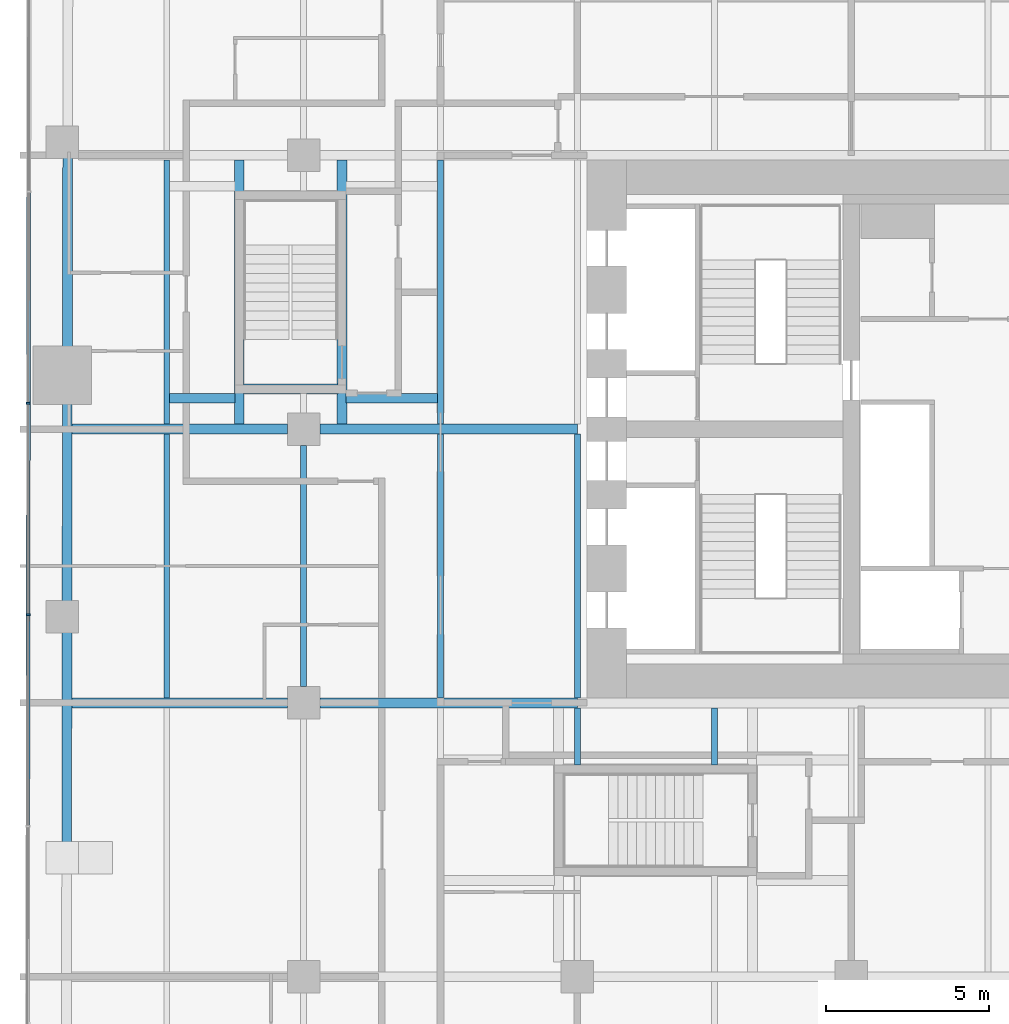
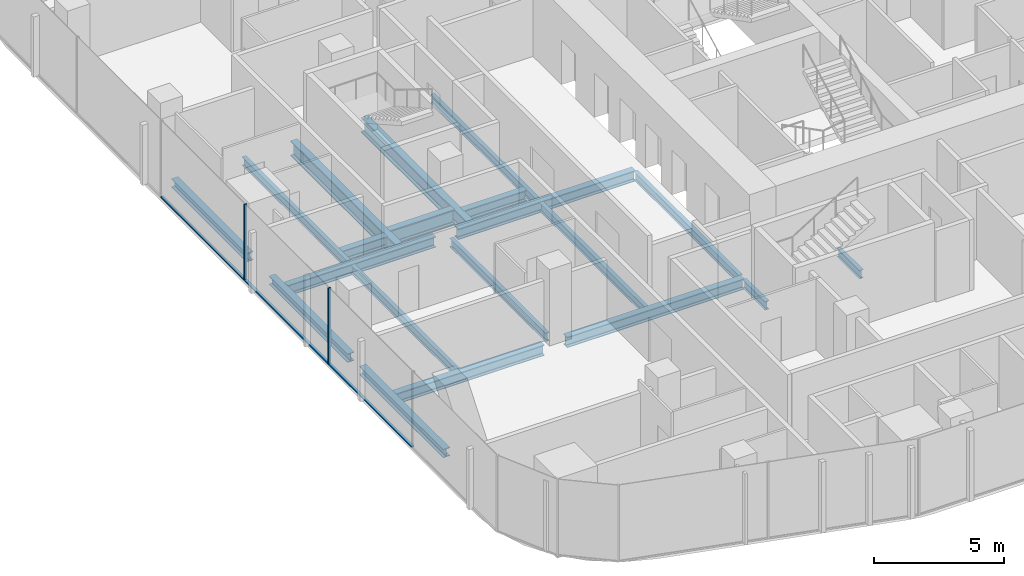
# One storey, part 4 of 27: 20 beams, 5 members, 1 element without a shape of its own.
"""IFC4 building model written with IfcOpenShell, lengths in metres."""

from ifc_helpers import new_model, si_unit, direction, frame, origin, origin_2d, place, context, subcontext, project, spatial, rectangle, i_section, extrude, material, layer, layer_set, material_profile, profile_set, type_object, element, aggregate, save


model = new_model("IFC4")

# Units and contexts
model_context = context("Model", 3, precision=1e-05, world=origin(), true_north=direction((0.0, 1.0)))
body_context = subcontext(model_context, "Body", "Model", "MODEL_VIEW")
ifc_project = project(units=[si_unit("LENGTHUNIT", "METRE"), si_unit("AREAUNIT", "SQUARE_METRE"), si_unit("VOLUMEUNIT", "CUBIC_METRE"), si_unit("PLANEANGLEUNIT", "RADIAN"), si_unit("MASSUNIT", "GRAM", prefix="KILO")], contexts=[model_context])

# Site, building, storey
site_placement = place(None, origin())
site = spatial("IfcSite", under=ifc_project, at=site_placement, CompositionType="ELEMENT")
building_placement = place(site_placement, origin())
building = spatial("IfcBuilding", under=site, at=building_placement, Name="Marenta Gate Hotel Tower", CompositionType="ELEMENT")
storey_placement = place(building_placement, frame((0.0, 0.0, 36.5)))
storey = spatial("IfcBuildingStorey", under=building, at=storey_placement, Name="L06", CompositionType="ELEMENT", Elevation=36.5)

# Beams
ifc_material_1 = material(Name="Steel S355", Category="steel")
ifc_material_profile_1 = material_profile(ifc_material_1, i_section(OverallWidth=0.300048828125, OverallDepth=0.39990234375, WebThickness=0.013427734375, FlangeThickness=0.02392578125, FilletRadius=0.027099609375, at=origin_2d()), Name="HEB 400")
ifc_profile_set_1 = profile_set([ifc_material_profile_1], Name="Steel S355")
beam_type_1 = type_object("IfcBeamType", Name="Edge beam HEB 400", PredefinedType="SPANDREL", material=ifc_profile_set_1)
beam_1_placement = place(storey_placement, frame((-28.267333984375, -4.2919921875, -0.35009765625), z_axis=(0.001393753119, 0.999999028726, 0.0), x_axis=(-0.999999028726, 0.001393753119, 0.0)))
element("IfcBeam", 1, at=beam_1_placement, inside=storey, type_object=beam_type_1, Name="L06-EB-6", PredefinedType="SPANDREL", context=body_context, shape_type="SweptSolid", body=[
    extrude(i_section(OverallWidth=0.300048828125, OverallDepth=0.39990234375, WebThickness=0.013427734375, FlangeThickness=0.02392578125, FilletRadius=0.027099609375, at=origin_2d()), origin(), (0.0, 0.0, 1.0), 6.481201171875),
])
beam_2_placement = place(storey_placement, frame((-28.257080078125, 3.109130859375, -0.35009765625), z_axis=(0.001405226059, 0.999999012669, 0.0), x_axis=(-0.999999012669, 0.001405226059, 0.0)))
element("IfcBeam", 2, at=beam_2_placement, inside=storey, type_object=beam_type_1, Name="L06-EB-7", PredefinedType="SPANDREL", context=body_context, shape_type="SweptSolid", body=[
    extrude(i_section(OverallWidth=0.300048828125, OverallDepth=0.39990234375, WebThickness=0.013427734375, FlangeThickness=0.02392578125, FilletRadius=0.027099609375, at=origin_2d()), origin(), (0.0, 0.0, 1.0), 6.080810546875),
])
beam_3_placement = place(storey_placement, frame((-28.246337890625, 10.909912109375, -0.35009765625), z_axis=(0.001423009483, 0.999998987521, 0.0), x_axis=(-0.999998987521, 0.001423009483, 0.0)))
element("IfcBeam", 3, at=beam_3_placement, inside=storey, type_object=beam_type_1, Name="L06-EB-8", PredefinedType="SPANDREL", context=body_context, shape_type="SweptSolid", body=[
    extrude(i_section(OverallWidth=0.300048828125, OverallDepth=0.39990234375, WebThickness=0.013427734375, FlangeThickness=0.02392578125, FilletRadius=0.027099609375, at=origin_2d()), origin(), (0.0, 0.0, 1.0), 5.833251953125),
])
ifc_material_2 = material(Name="Steel S355", Category="steel")
ifc_material_profile_2 = material_profile(ifc_material_2, i_section(OverallWidth=0.179931640625, OverallDepth=0.39990234375, WebThickness=0.008544921875, FlangeThickness=0.013427734375, FilletRadius=0.02099609375, at=origin_2d()), Name="IPE 400")
ifc_profile_set_2 = profile_set([ifc_material_profile_2], Name="Steel S355")
beam_type_2 = type_object("IfcBeamType", Name="Floor beam IPE 400", PredefinedType="JOIST", material=ifc_profile_set_2)
beam_4_placement = place(storey_placement, frame((-25.199951171875, 0.14990234375, -0.35009765625), z_axis=(0.0, 1.0, 0.0), x_axis=(-1.0, 0.0, 0.0)))
element("IfcBeam", 4, at=beam_4_placement, inside=storey, type_object=beam_type_2, Name="L06-FB-3", PredefinedType="JOIST", context=body_context, shape_type="SweptSolid", body=[
    extrude(i_section(OverallWidth=0.179931640625, OverallDepth=0.39990234375, WebThickness=0.008544921875, FlangeThickness=0.013427734375, FilletRadius=0.02099609375, at=origin_2d()), origin(), (0.0, 0.0, 1.0), 8.10009765625),
])
beam_5_placement = place(storey_placement, frame((-25.199951171875, 8.550048828125, -0.35009765625), z_axis=(0.0, 1.0, 0.0), x_axis=(-1.0, 0.0, 0.0)))
element("IfcBeam", 5, at=beam_5_placement, inside=storey, type_object=beam_type_2, Name="L06-FB-4", PredefinedType="JOIST", context=body_context, shape_type="SweptSolid", body=[
    extrude(i_section(OverallWidth=0.179931640625, OverallDepth=0.39990234375, WebThickness=0.008544921875, FlangeThickness=0.013427734375, FilletRadius=0.02099609375, at=origin_2d()), origin(), (0.0, 0.0, 1.0), 8.099853515625),
])
beam_6_placement = place(storey_placement, frame((-21.0, 0.5, -0.35009765625), z_axis=(0.0, 1.0, 0.0), x_axis=(-1.0, 0.0, 0.0)))
element("IfcBeam", 6, at=beam_6_placement, inside=storey, type_object=beam_type_2, Name="L06-FB-9", PredefinedType="JOIST", context=body_context, shape_type="SweptSolid", body=[
    extrude(i_section(OverallWidth=0.179931640625, OverallDepth=0.39990234375, WebThickness=0.008544921875, FlangeThickness=0.013427734375, FilletRadius=0.02099609375, at=origin_2d()), origin(), (0.0, 0.0, 1.0), 7.39990234375),
])
beam_7_placement = place(storey_placement, frame((-16.800048828125, 0.14990234375, -0.35009765625), z_axis=(0.0, 1.0, 0.0), x_axis=(-1.0, 0.0, 0.0)))
element("IfcBeam", 7, at=beam_7_placement, inside=storey, type_object=beam_type_2, Name="L06-FB-16", PredefinedType="JOIST", context=body_context, shape_type="SweptSolid", body=[
    extrude(i_section(OverallWidth=0.179931640625, OverallDepth=0.39990234375, WebThickness=0.008544921875, FlangeThickness=0.013427734375, FilletRadius=0.02099609375, at=origin_2d()), origin(), (0.0, 0.0, 1.0), 8.10009765625),
])
beam_8_placement = place(storey_placement, frame((-16.800048828125, 8.550048828125, -0.35009765625), z_axis=(0.0, 1.0, 0.0), x_axis=(-1.0, 0.0, 0.0)))
element("IfcBeam", 8, at=beam_8_placement, inside=storey, type_object=beam_type_2, Name="L06-FB-17", PredefinedType="JOIST", context=body_context, shape_type="SweptSolid", body=[
    extrude(i_section(OverallWidth=0.179931640625, OverallDepth=0.39990234375, WebThickness=0.008544921875, FlangeThickness=0.013427734375, FilletRadius=0.02099609375, at=origin_2d()), origin(), (0.0, 0.0, 1.0), 8.099853515625),
])
beam_9_placement = place(storey_placement, frame((-12.60009765625, -1.89990234375, -0.35009765625), z_axis=(0.0, 1.0, 0.0), x_axis=(-1.0, 0.0, 0.0)))
element("IfcBeam", 9, at=beam_9_placement, inside=storey, type_object=beam_type_2, Name="L06-FB-22", PredefinedType="JOIST", context=body_context, shape_type="SweptSolid", body=[
    extrude(i_section(OverallWidth=0.179931640625, OverallDepth=0.39990234375, WebThickness=0.008544921875, FlangeThickness=0.013427734375, FilletRadius=0.02099609375, at=origin_2d()), origin(), (0.0, 0.0, 1.0), 1.75),
])
beam_10_placement = place(storey_placement, frame((-12.60009765625, 0.14990234375, -0.35009765625), z_axis=(0.0, 1.0, 0.0), x_axis=(-1.0, 0.0, 0.0)))
element("IfcBeam", 10, at=beam_10_placement, inside=storey, type_object=beam_type_2, Name="L06-FB-23", PredefinedType="JOIST", context=body_context, shape_type="SweptSolid", body=[
    extrude(i_section(OverallWidth=0.179931640625, OverallDepth=0.39990234375, WebThickness=0.008544921875, FlangeThickness=0.013427734375, FilletRadius=0.02099609375, at=origin_2d()), origin(), (0.0, 0.0, 1.0), 8.10009765625),
])
beam_11_placement = place(storey_placement, frame((-8.39990234375, -1.89990234375, -0.35009765625), z_axis=(0.0, 1.0, 0.0), x_axis=(-1.0, 0.0, 0.0)))
element("IfcBeam", 11, at=beam_11_placement, inside=storey, type_object=beam_type_2, Name="L06-FB-29", PredefinedType="JOIST", context=body_context, shape_type="SweptSolid", body=[
    extrude(i_section(OverallWidth=0.179931640625, OverallDepth=0.39990234375, WebThickness=0.008544921875, FlangeThickness=0.013427734375, FilletRadius=0.02099609375, at=origin_2d()), origin(), (0.0, 0.0, 1.0), 1.75),
])
ifc_material_3 = material(Name="Steel S355", Category="steel")
ifc_material_profile_3 = material_profile(ifc_material_3, i_section(OverallWidth=0.300048828125, OverallDepth=0.5, WebThickness=0.014404296875, FlangeThickness=0.028076171875, FilletRadius=0.027099609375, at=origin_2d()), Name="HEB 500")
ifc_profile_set_3 = profile_set([ifc_material_profile_3], Name="Steel S355")
beam_type_3 = type_object("IfcBeamType", Name="Girder HEB 500", PredefinedType="BEAM", material=ifc_profile_set_3)
beam_12_placement = place(storey_placement, frame((-28.111328125, 0.0, -0.39990234375), z_axis=(1.0, 0.0, 0.0), x_axis=(0.0, 1.0, 0.0)))
element("IfcBeam", 12, at=beam_12_placement, inside=storey, type_object=beam_type_3, Name="L06-GD-8", PredefinedType="BEAM", context=body_context, shape_type="SweptSolid", body=[
    extrude(i_section(OverallWidth=0.300048828125, OverallDepth=0.5, WebThickness=0.014404296875, FlangeThickness=0.028076171875, FilletRadius=0.027099609375, at=origin_2d()), origin(), (0.0, 0.0, 1.0), 6.611328125),
])
beam_13_placement = place(storey_placement, frame((-20.5, 0.0, -0.39990234375), z_axis=(1.0, 0.0, 0.0), x_axis=(0.0, 1.0, 0.0)))
element("IfcBeam", 13, at=beam_13_placement, inside=storey, type_object=beam_type_3, Name="L06-GD-9", PredefinedType="BEAM", context=body_context, shape_type="SweptSolid", body=[
    extrude(i_section(OverallWidth=0.300048828125, OverallDepth=0.5, WebThickness=0.014404296875, FlangeThickness=0.028076171875, FilletRadius=0.027099609375, at=origin_2d()), origin(), (0.0, 0.0, 1.0), 7.89990234375),
])
beam_14_placement = place(storey_placement, frame((-28.099609375, 8.39990234375, -0.39990234375), z_axis=(1.0, 0.0, 0.0), x_axis=(0.0, 1.0, 0.0)))
element("IfcBeam", 14, at=beam_14_placement, inside=storey, type_object=beam_type_3, Name="L06-GD-13", PredefinedType="BEAM", context=body_context, shape_type="SweptSolid", body=[
    extrude(i_section(OverallWidth=0.300048828125, OverallDepth=0.5, WebThickness=0.014404296875, FlangeThickness=0.028076171875, FilletRadius=0.027099609375, at=origin_2d()), origin(), (0.0, 0.0, 1.0), 6.599609375),
])
beam_15_placement = place(storey_placement, frame((-20.5, 8.39990234375, -0.39990234375), z_axis=(1.0, 0.0, 0.0), x_axis=(0.0, 1.0, 0.0)))
element("IfcBeam", 15, at=beam_15_placement, inside=storey, type_object=beam_type_3, Name="L06-GD-14", PredefinedType="BEAM", context=body_context, shape_type="SweptSolid", body=[
    extrude(i_section(OverallWidth=0.300048828125, OverallDepth=0.5, WebThickness=0.014404296875, FlangeThickness=0.028076171875, FilletRadius=0.027099609375, at=origin_2d()), origin(), (0.0, 0.0, 1.0), 7.89990234375),
])

# Curtain wall, members
ifc_material_4 = material(Name="Tinted insulated glass in bronze anodised frame", Category="glass")
ifc_layer = layer(ifc_material_4, 0.1201171875)
ifc_layer_set = layer_set([ifc_layer], Name="Tinted insulated glass in bronze anodised frame")
curtain_wall_type = type_object("IfcCurtainWallType", Name="Tower unitised curtain wall CW1", PredefinedType="NOTDEFINED", material=ifc_layer_set)
curtain_wall_placement = place(storey_placement, origin())
curtain_wall = element("IfcCurtainWall", 16, at=curtain_wall_placement, inside=storey, type_object=curtain_wall_type, Name="CW1 run G03", PredefinedType="NOTDEFINED")
ifc_material_5 = material(Name="Bronze anodised aluminium", Category="aluminium")
ifc_material_profile_4 = material_profile(ifc_material_5, rectangle(XDim=0.1201171875, YDim=0.06005859375, at=origin_2d()), Name="Mullion CW1 60x120 bronze anodised aluminium")
ifc_profile_set_4 = profile_set([ifc_material_profile_4], Name="Bronze anodised aluminium")
member_type_1 = type_object("IfcMemberType", Name="Mullion CW1 60x120 bronze anodised aluminium", PredefinedType="MULLION", material=ifc_profile_set_4)
member_1_placement = place(storey_placement, frame((-29.44287109375, 9.195068359375, 0.0), z_axis=(0.0, 0.0, 1.0), x_axis=(0.99999877316, -0.00156642217, 0.0)))
member_1 = element("IfcMember", 17, at=member_1_placement, type_object=member_type_1, Name="CW1 mullion 4", PredefinedType="MULLION", context=body_context, shape_type="SweptSolid", body=[
    extrude(rectangle(XDim=0.1201171875, YDim=0.06005859375, at=origin_2d()), origin(), (0.0, 0.0, 1.0), 3.60009765625),
])
member_2_placement = place(storey_placement, frame((-29.452880859375, 2.704833984375, 0.0), z_axis=(0.0, 0.0, 1.0), x_axis=(0.99999877316, -0.00156642217, 0.0)))
member_2 = element("IfcMember", 18, at=member_2_placement, type_object=member_type_1, Name="CW1 mullion 5", PredefinedType="MULLION", context=body_context, shape_type="SweptSolid", body=[
    extrude(rectangle(XDim=0.1201171875, YDim=0.06005859375, at=origin_2d()), origin(), (0.0, 0.0, 1.0), 3.60009765625),
])

# Beams
ifc_material_6 = material(Name="Steel S355", Category="steel")
ifc_material_profile_5 = material_profile(ifc_material_6, i_section(OverallWidth=0.303955078125, OverallDepth=0.716064453125, WebThickness=0.027099609375, FlangeThickness=0.048095703125, FilletRadius=0.027099609375, at=origin_2d()), Name="HEM 700")
ifc_profile_set_5 = profile_set([ifc_material_profile_5], Name="Steel S355")
beam_type_4 = type_object("IfcBeamType", Name="Stair wall transfer beam HEM 700", PredefinedType="BEAM", material=ifc_profile_set_5)
for number, where, z_axis, x_axis, name in (
    (19, (-22.97509765625, 8.550048828125, -0.508056640625), (0.0, 1.0, 0.0), (-1.0, 0.0, 0.0), "L06-XB-RS-Z1-3-a"),
    (20, (-19.824951171875, 8.550048828125, -0.508056640625), (0.0, 1.0, 0.0), (-1.0, 0.0, 0.0), "L06-XB-RS-Z1-3-b"),
):
    element("IfcBeam", number, at=place(storey_placement, frame(where, z_axis=z_axis, x_axis=x_axis)), inside=storey, type_object=beam_type_4, Name=name, PredefinedType="BEAM", context=body_context, shape_type="SweptSolid", body=[
        extrude(i_section(OverallWidth=0.303955078125, OverallDepth=0.716064453125, WebThickness=0.027099609375, FlangeThickness=0.048095703125, FilletRadius=0.027099609375, at=origin_2d()), origin(), (0.0, 0.0, 1.0), 8.099853515625),
    ])
beam_16_placement = place(storey_placement, frame((-22.85009765625, 9.625, -0.508056640625), z_axis=(1.0, 0.0, 0.0), x_axis=(0.0, 1.0, 0.0)))
element("IfcBeam", 21, at=beam_16_placement, inside=storey, type_object=beam_type_4, Name="L06-XB-RS-Z1-3-c", PredefinedType="BEAM", context=body_context, shape_type="SweptSolid", body=[
    extrude(i_section(OverallWidth=0.303955078125, OverallDepth=0.716064453125, WebThickness=0.027099609375, FlangeThickness=0.048095703125, FilletRadius=0.027099609375, at=origin_2d()), origin(), (0.0, 0.0, 1.0), 2.900146484375),
])

# Member
ifc_material_7 = material(Name="Bronze anodised aluminium", Category="aluminium")
ifc_material_profile_6 = material_profile(ifc_material_7, rectangle(XDim=0.1201171875, YDim=0.06005859375, at=origin_2d()), Name="Transom CW1 60x120 bronze anodised aluminium")
ifc_profile_set_6 = profile_set([ifc_material_profile_6], Name="Bronze anodised aluminium")
member_type_2 = type_object("IfcMemberType", Name="Transom CW1 60x120 bronze anodised aluminium", PredefinedType="USERDEFINED", material=ifc_profile_set_6)
member_3_placement = place(storey_placement, frame((-29.4326171875, 15.655517578125, 0.030029296875), z_axis=(-0.001594591541, -0.999998728638, 0.0), x_axis=(0.999998728638, -0.001594591541, 0.0)))
member_3 = element("IfcMember", 22, at=member_3_placement, type_object=member_type_2, Name="CW1 transom 3.1", ObjectType="TRANSOM", PredefinedType="USERDEFINED", context=body_context, shape_type="SweptSolid", body=[
    extrude(rectangle(XDim=0.1201171875, YDim=0.06005859375, at=origin_2d()), origin(), (0.0, 0.0, 1.0), 6.430419921875),
])

member_4_placement = place(storey_placement, frame((-29.44287109375, 9.1650390625, 0.030029296875), z_axis=(-0.001556625169, -0.999998788458, 0.0), x_axis=(0.999998788458, -0.001556625169, 0.0)))
member_4 = element("IfcMember", 23, at=member_4_placement, type_object=member_type_2, Name="CW1 transom 4.1", ObjectType="TRANSOM", PredefinedType="USERDEFINED", context=body_context, shape_type="SweptSolid", body=[
    extrude(rectangle(XDim=0.1201171875, YDim=0.06005859375, at=origin_2d()), origin(), (0.0, 0.0, 1.0), 6.430419921875),
])

member_5_placement = place(storey_placement, frame((-29.453125, 2.6748046875, 0.030029296875), z_axis=(-0.001556625169, -0.999998788458, 0.0), x_axis=(0.999998788458, -0.001556625169, 0.0)))
member_5 = element("IfcMember", 24, at=member_5_placement, type_object=member_type_2, Name="CW1 transom 5.1", ObjectType="TRANSOM", PredefinedType="USERDEFINED", context=body_context, shape_type="SweptSolid", body=[
    extrude(rectangle(XDim=0.1201171875, YDim=0.06005859375, at=origin_2d()), origin(), (0.0, 0.0, 1.0), 6.430419921875),
])

aggregate(curtain_wall, [member_1, member_2, member_3, member_4, member_5])

# Beams
ifc_material_8 = material(Name="Steel S355", Category="steel")
ifc_material_profile_7 = material_profile(ifc_material_8, i_section(OverallWidth=0.300048828125, OverallDepth=0.5, WebThickness=0.014404296875, FlangeThickness=0.028076171875, FilletRadius=0.027099609375, at=origin_2d()), Name="HEB 500")
ifc_profile_set_7 = profile_set([ifc_material_profile_7], Name="Steel S355")
beam_type_5 = type_object("IfcBeamType", Name="Trimmer HEB 500", PredefinedType="BEAM", material=ifc_profile_set_7)
beam_17_placement = place(storey_placement, frame((-25.110107421875, 9.35009765625, -0.39990234375), z_axis=(1.0, 0.0, 0.0), x_axis=(0.0, 1.0, 0.0)))
element("IfcBeam", 25, at=beam_17_placement, inside=storey, type_object=beam_type_5, Name="L06-TR-9", PredefinedType="BEAM", context=body_context, shape_type="SweptSolid", body=[
    extrude(i_section(OverallWidth=0.300048828125, OverallDepth=0.5, WebThickness=0.014404296875, FlangeThickness=0.028076171875, FilletRadius=0.027099609375, at=origin_2d()), origin(), (0.0, 0.0, 1.0), 2.010009765625),
])
beam_18_placement = place(storey_placement, frame((-19.699951171875, 9.35009765625, -0.39990234375), z_axis=(1.0, 0.0, 0.0), x_axis=(0.0, 1.0, 0.0)))
element("IfcBeam", 26, at=beam_18_placement, inside=storey, type_object=beam_type_5, Name="L06-TR-10", PredefinedType="BEAM", context=body_context, shape_type="SweptSolid", body=[
    extrude(i_section(OverallWidth=0.300048828125, OverallDepth=0.5, WebThickness=0.014404296875, FlangeThickness=0.028076171875, FilletRadius=0.027099609375, at=origin_2d()), origin(), (0.0, 0.0, 1.0), 2.81005859375),
])

save(model, "model.ifc")
